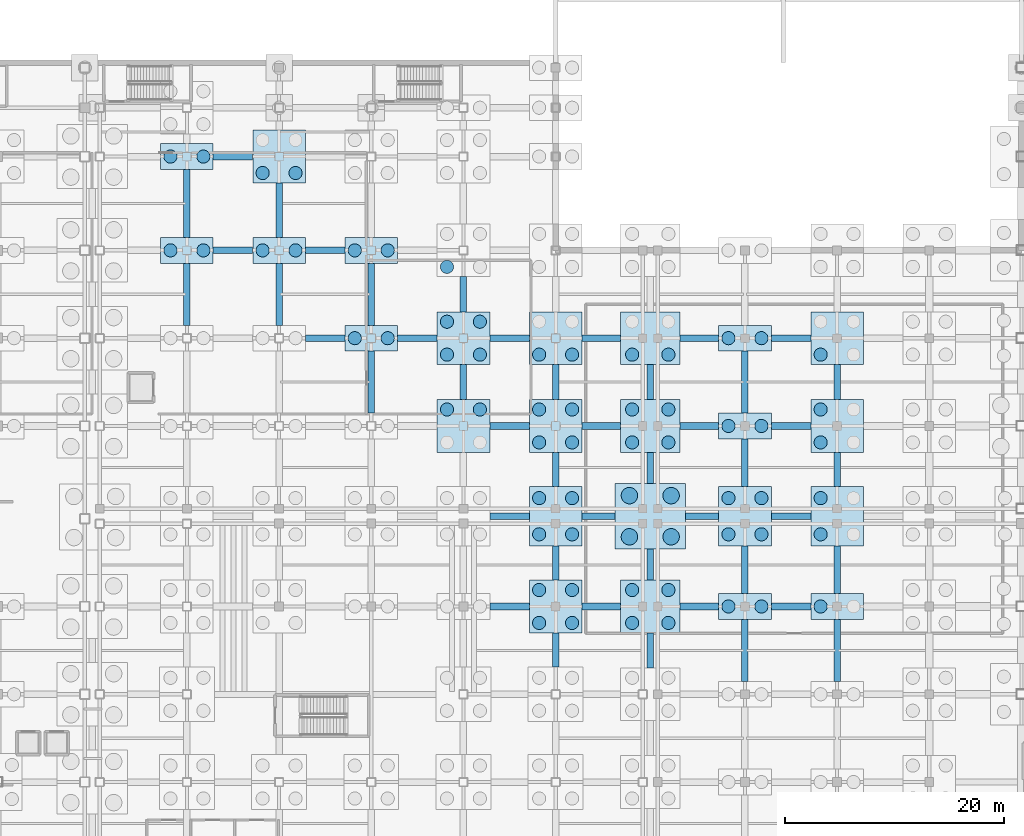
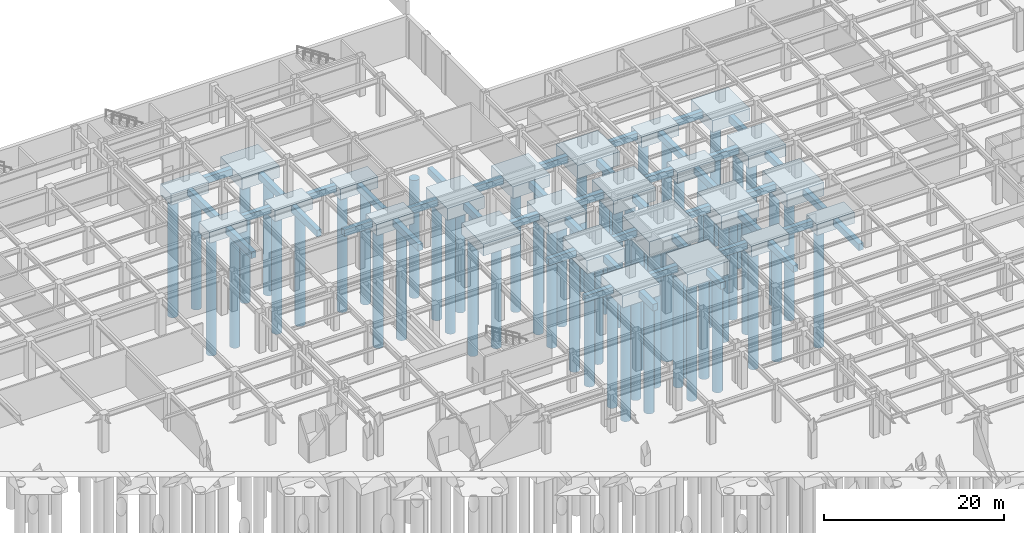
# One storey, part 9 of 55: 69 footings, 63 piles.
"""IFC4 building model written with IfcOpenShell, lengths in metres."""

from ifc_helpers import new_model, si_unit, direction, frame, origin, origin_2d, place, context, subcontext, project, spatial, rectangle, circle, extrude, material, layer, layer_set, material_profile, profile_set, type_object, element, save


model = new_model("IFC4")

# Units and contexts
model_context = context("Model", 3, precision=1e-05, world=origin(), true_north=direction((0.0, 1.0)))
body_context = subcontext(model_context, "Body", "Model", "MODEL_VIEW")
ifc_project = project(units=[si_unit("LENGTHUNIT", "METRE"), si_unit("AREAUNIT", "SQUARE_METRE"), si_unit("VOLUMEUNIT", "CUBIC_METRE"), si_unit("PLANEANGLEUNIT", "RADIAN"), si_unit("MASSUNIT", "GRAM", prefix="KILO")], contexts=[model_context])

# Site, building, storey
site_placement = place(None, origin())
site = spatial("IfcSite", under=ifc_project, at=site_placement, CompositionType="ELEMENT")
building_placement = place(site_placement, origin())
building = spatial("IfcBuilding", under=site, at=building_placement, Name="Kazehara Bluff Congress Hotel", CompositionType="ELEMENT")
storey_placement = place(building_placement, frame((0.0, 0.0, -5.39990234375)))
storey = spatial("IfcBuildingStorey", under=building, at=storey_placement, Name="B1", CompositionType="ELEMENT", Elevation=-5.39990234375)

# Footings
ifc_material_1 = material(Name="Concrete C36/45", Category="concrete")
ifc_material_profile_1 = material_profile(ifc_material_1, rectangle(XDim=0.60009765625, YDim=0.89990234375, at=origin_2d()))
ifc_profile_set_1 = profile_set([ifc_material_profile_1], Name="Concrete C36/45")
footing_type_1 = type_object("IfcFootingType", Name="TP-FB-01", PredefinedType="FOOTING_BEAM", material=ifc_profile_set_1)
footing_1_placement = place(storey_placement, frame((95.25, 64.449951171875, -0.9501953125), z_axis=(1.0, 0.0, 0.0), x_axis=(0.0, 1.0, 0.0)))
element("IfcFooting", 1, at=footing_1_placement, inside=storey, type_object=footing_type_1, Name="Foundation tie beam FB-01 141", PredefinedType="FOOTING_BEAM", context=body_context, shape_type="SweptSolid", body=[
    extrude(rectangle(XDim=0.60009765625, YDim=0.89990234375, at=origin_2d()), origin(), (0.0, 0.0, 1.0), 3.60009765625),
])
for number, where, z_axis, x_axis, name in (
    (2, (103.64990234375, 64.449951171875, -0.9501953125), (1.0, 0.0, 0.0), (0.0, 1.0, 0.0), "Foundation tie beam FB-01 142"),
    (3, (112.574951171875, 64.449951171875, -0.9501953125), (1.0, 0.0, 0.0), (0.0, 1.0, 0.0), "Foundation tie beam FB-01 143"),
):
    element("IfcFooting", number, at=place(storey_placement, frame(where, z_axis=z_axis, x_axis=x_axis)), inside=storey, type_object=footing_type_1, Name=name, PredefinedType="FOOTING_BEAM", context=body_context, shape_type="SweptSolid", body=[
        extrude(rectangle(XDim=0.60009765625, YDim=0.89990234375, at=origin_2d()), origin(), (0.0, 0.0, 1.0), 3.525146484375),
    ])
for number, where, z_axis, x_axis, name in (
    (4, (120.89990234375, 64.449951171875, -0.9501953125), (1.0, 0.0, 0.0), (0.0, 1.0, 0.0), "Foundation tie beam FB-01 144"),
    (5, (95.25, 72.675048828125, -0.9501953125), (1.0, 0.0, 0.0), (0.0, 1.0, 0.0), "Foundation tie beam FB-01 154"),
):
    element("IfcFooting", number, at=place(storey_placement, frame(where, z_axis=z_axis, x_axis=x_axis)), inside=storey, type_object=footing_type_1, Name=name, PredefinedType="FOOTING_BEAM", context=body_context, shape_type="SweptSolid", body=[
        extrude(rectangle(XDim=0.60009765625, YDim=0.89990234375, at=origin_2d()), origin(), (0.0, 0.0, 1.0), 3.60009765625),
    ])
for number, where, z_axis, x_axis, name in (
    (6, (103.64990234375, 72.675048828125, -0.9501953125), (1.0, 0.0, 0.0), (0.0, 1.0, 0.0), "Foundation tie beam FB-01 155"),
    (7, (113.074951171875, 72.675048828125, -0.9501953125), (1.0, 0.0, 0.0), (0.0, 1.0, 0.0), "Foundation tie beam FB-01 156"),
):
    element("IfcFooting", number, at=place(storey_placement, frame(where, z_axis=z_axis, x_axis=x_axis)), inside=storey, type_object=footing_type_1, Name=name, PredefinedType="FOOTING_BEAM", context=body_context, shape_type="SweptSolid", body=[
        extrude(rectangle(XDim=0.60009765625, YDim=0.89990234375, at=origin_2d()), origin(), (0.0, 0.0, 1.0), 3.025146484375),
    ])
for number, where, z_axis, x_axis, name in (
    (8, (120.89990234375, 72.675048828125, -0.9501953125), (1.0, 0.0, 0.0), (0.0, 1.0, 0.0), "Foundation tie beam FB-01 157"),
    (9, (95.25, 80.89990234375, -0.9501953125), (1.0, 0.0, 0.0), (0.0, 1.0, 0.0), "Foundation tie beam FB-01 171"),
):
    element("IfcFooting", number, at=place(storey_placement, frame(where, z_axis=z_axis, x_axis=x_axis)), inside=storey, type_object=footing_type_1, Name=name, PredefinedType="FOOTING_BEAM", context=body_context, shape_type="SweptSolid", body=[
        extrude(rectangle(XDim=0.60009765625, YDim=0.89990234375, at=origin_2d()), origin(), (0.0, 0.0, 1.0), 3.60009765625),
    ])
for number, where, z_axis, x_axis, name in (
    (10, (103.64990234375, 80.89990234375, -0.9501953125), (1.0, 0.0, 0.0), (0.0, 1.0, 0.0), "Foundation tie beam FB-01 172"),
    (11, (112.574951171875, 80.89990234375, -0.9501953125), (1.0, 0.0, 0.0), (0.0, 1.0, 0.0), "Foundation tie beam FB-01 173"),
):
    element("IfcFooting", number, at=place(storey_placement, frame(where, z_axis=z_axis, x_axis=x_axis)), inside=storey, type_object=footing_type_1, Name=name, PredefinedType="FOOTING_BEAM", context=body_context, shape_type="SweptSolid", body=[
        extrude(rectangle(XDim=0.60009765625, YDim=0.89990234375, at=origin_2d()), origin(), (0.0, 0.0, 1.0), 3.525146484375),
    ])
for number, where, z_axis, x_axis, name in (
    (12, (120.89990234375, 80.89990234375, -0.9501953125), (1.0, 0.0, 0.0), (0.0, 1.0, 0.0), "Foundation tie beam FB-01 174"),
    (13, (78.449951171875, 88.89990234375, -0.9501953125), (1.0, 0.0, 0.0), (0.0, 1.0, 0.0), "Foundation tie beam FB-01 188"),
):
    element("IfcFooting", number, at=place(storey_placement, frame(where, z_axis=z_axis, x_axis=x_axis)), inside=storey, type_object=footing_type_1, Name=name, PredefinedType="FOOTING_BEAM", context=body_context, shape_type="SweptSolid", body=[
        extrude(rectangle(XDim=0.60009765625, YDim=0.89990234375, at=origin_2d()), origin(), (0.0, 0.0, 1.0), 3.60009765625),
    ])
footing_2_placement = place(storey_placement, frame((86.85009765625, 88.89990234375, -0.9501953125), z_axis=(1.0, 0.0, 0.0), x_axis=(0.0, 1.0, 0.0)))
element("IfcFooting", 14, at=footing_2_placement, inside=storey, type_object=footing_type_1, Name="Foundation tie beam FB-01 189", PredefinedType="FOOTING_BEAM", context=body_context, shape_type="SweptSolid", body=[
    extrude(rectangle(XDim=0.60009765625, YDim=0.89990234375, at=origin_2d()), origin(), (0.0, 0.0, 1.0), 3.599853515625),
])
footing_3_placement = place(storey_placement, frame((95.25, 88.89990234375, -0.9501953125), z_axis=(1.0, 0.0, 0.0), x_axis=(0.0, 1.0, 0.0)))
element("IfcFooting", 15, at=footing_3_placement, inside=storey, type_object=footing_type_1, Name="Foundation tie beam FB-01 190", PredefinedType="FOOTING_BEAM", context=body_context, shape_type="SweptSolid", body=[
    extrude(rectangle(XDim=0.60009765625, YDim=0.89990234375, at=origin_2d()), origin(), (0.0, 0.0, 1.0), 3.60009765625),
])
for number, where, z_axis, x_axis, name in (
    (16, (103.64990234375, 88.89990234375, -0.9501953125), (1.0, 0.0, 0.0), (0.0, 1.0, 0.0), "Foundation tie beam FB-01 191"),
    (17, (112.574951171875, 88.89990234375, -0.9501953125), (1.0, 0.0, 0.0), (0.0, 1.0, 0.0), "Foundation tie beam FB-01 192"),
):
    element("IfcFooting", number, at=place(storey_placement, frame(where, z_axis=z_axis, x_axis=x_axis)), inside=storey, type_object=footing_type_1, Name=name, PredefinedType="FOOTING_BEAM", context=body_context, shape_type="SweptSolid", body=[
        extrude(rectangle(XDim=0.60009765625, YDim=0.89990234375, at=origin_2d()), origin(), (0.0, 0.0, 1.0), 3.525146484375),
    ])
footing_4_placement = place(storey_placement, frame((120.89990234375, 88.89990234375, -0.9501953125), z_axis=(1.0, 0.0, 0.0), x_axis=(0.0, 1.0, 0.0)))
element("IfcFooting", 18, at=footing_4_placement, inside=storey, type_object=footing_type_1, Name="Foundation tie beam FB-01 193", PredefinedType="FOOTING_BEAM", context=body_context, shape_type="SweptSolid", body=[
    extrude(rectangle(XDim=0.60009765625, YDim=0.89990234375, at=origin_2d()), origin(), (0.0, 0.0, 1.0), 3.60009765625),
])
footing_5_placement = place(storey_placement, frame((70.050048828125, 96.89990234375, -0.9501953125), z_axis=(1.0, 0.0, 0.0), x_axis=(0.0, 1.0, 0.0)))
element("IfcFooting", 19, at=footing_5_placement, inside=storey, type_object=footing_type_1, Name="Foundation tie beam FB-01 206", PredefinedType="FOOTING_BEAM", context=body_context, shape_type="SweptSolid", body=[
    extrude(rectangle(XDim=0.60009765625, YDim=0.89990234375, at=origin_2d()), origin(), (0.0, 0.0, 1.0), 3.599853515625),
])
footing_6_placement = place(storey_placement, frame((78.449951171875, 96.89990234375, -0.9501953125), z_axis=(1.0, 0.0, 0.0), x_axis=(0.0, 1.0, 0.0)))
element("IfcFooting", 20, at=footing_6_placement, inside=storey, type_object=footing_type_1, Name="Foundation tie beam FB-01 207", PredefinedType="FOOTING_BEAM", context=body_context, shape_type="SweptSolid", body=[
    extrude(rectangle(XDim=0.60009765625, YDim=0.89990234375, at=origin_2d()), origin(), (0.0, 0.0, 1.0), 3.60009765625),
])
footing_7_placement = place(storey_placement, frame((70.050048828125, 105.449951171875, -0.9501953125), z_axis=(1.0, 0.0, 0.0), x_axis=(0.0, 1.0, 0.0)))
element("IfcFooting", 21, at=footing_7_placement, inside=storey, type_object=footing_type_1, Name="Foundation tie beam FB-01 225", PredefinedType="FOOTING_BEAM", context=body_context, shape_type="SweptSolid", body=[
    extrude(rectangle(XDim=0.60009765625, YDim=0.89990234375, at=origin_2d()), origin(), (0.0, 0.0, 1.0), 3.599853515625),
])
footing_8_placement = place(storey_placement, frame((67.64990234375, 90.074951171875, -0.9501953125), z_axis=(0.0, 1.0, 0.0), x_axis=(-1.0, 0.0, 0.0)))
element("IfcFooting", 22, at=footing_8_placement, inside=storey, type_object=footing_type_1, Name="Foundation tie beam FB-01 348", PredefinedType="FOOTING_BEAM", context=body_context, shape_type="SweptSolid", body=[
    extrude(rectangle(XDim=0.60009765625, YDim=0.89990234375, at=origin_2d()), origin(), (0.0, 0.0, 1.0), 5.650146484375),
])
footing_9_placement = place(storey_placement, frame((67.64990234375, 98.074951171875, -0.9501953125), z_axis=(0.0, 1.0, 0.0), x_axis=(-1.0, 0.0, 0.0)))
element("IfcFooting", 23, at=footing_9_placement, inside=storey, type_object=footing_type_1, Name="Foundation tie beam FB-01 349", PredefinedType="FOOTING_BEAM", context=body_context, shape_type="SweptSolid", body=[
    extrude(rectangle(XDim=0.60009765625, YDim=0.89990234375, at=origin_2d()), origin(), (0.0, 0.0, 1.0), 6.199951171875),
])
footing_10_placement = place(storey_placement, frame((76.050048828125, 90.074951171875, -0.9501953125), z_axis=(0.0, 1.0, 0.0), x_axis=(-1.0, 0.0, 0.0)))
element("IfcFooting", 24, at=footing_10_placement, inside=storey, type_object=footing_type_1, Name="Foundation tie beam FB-01 361", PredefinedType="FOOTING_BEAM", context=body_context, shape_type="SweptSolid", body=[
    extrude(rectangle(XDim=0.60009765625, YDim=0.89990234375, at=origin_2d()), origin(), (0.0, 0.0, 1.0), 5.650146484375),
])
footing_11_placement = place(storey_placement, frame((76.050048828125, 98.074951171875, -0.9501953125), z_axis=(0.0, 1.0, 0.0), x_axis=(-1.0, 0.0, 0.0)))
element("IfcFooting", 25, at=footing_11_placement, inside=storey, type_object=footing_type_1, Name="Foundation tie beam FB-01 362", PredefinedType="FOOTING_BEAM", context=body_context, shape_type="SweptSolid", body=[
    extrude(rectangle(XDim=0.60009765625, YDim=0.89990234375, at=origin_2d()), origin(), (0.0, 0.0, 1.0), 4.97509765625),
])
for number, where, z_axis, x_axis, name in (
    (26, (84.449951171875, 82.074951171875, -0.9501953125), (0.0, 1.0, 0.0), (-1.0, 0.0, 0.0), "Foundation tie beam FB-01 372"),
    (27, (84.449951171875, 90.074951171875, -0.9501953125), (0.0, 1.0, 0.0), (-1.0, 0.0, 0.0), "Foundation tie beam FB-01 373"),
):
    element("IfcFooting", number, at=place(storey_placement, frame(where, z_axis=z_axis, x_axis=x_axis)), inside=storey, type_object=footing_type_1, Name=name, PredefinedType="FOOTING_BEAM", context=body_context, shape_type="SweptSolid", body=[
        extrude(rectangle(XDim=0.60009765625, YDim=0.89990234375, at=origin_2d()), origin(), (0.0, 0.0, 1.0), 5.650146484375),
    ])
for number, where, z_axis, x_axis, name in (
    (28, (92.85009765625, 83.300048828125, -0.9501953125), (0.0, 1.0, 0.0), (-1.0, 0.0, 0.0), "Foundation tie beam FB-01 385"),
    (29, (92.85009765625, 91.300048828125, -0.9501953125), (0.0, 1.0, 0.0), (-1.0, 0.0, 0.0), "Foundation tie beam FB-01 386"),
):
    element("IfcFooting", number, at=place(storey_placement, frame(where, z_axis=z_axis, x_axis=x_axis)), inside=storey, type_object=footing_type_1, Name=name, PredefinedType="FOOTING_BEAM", context=body_context, shape_type="SweptSolid", body=[
        extrude(rectangle(XDim=0.60009765625, YDim=0.89990234375, at=origin_2d()), origin(), (0.0, 0.0, 1.0), 3.199951171875),
    ])
footing_12_placement = place(storey_placement, frame((101.25, 58.949951171875, -0.9501953125), z_axis=(0.0, 1.0, 0.0), x_axis=(-1.0, 0.0, 0.0)))
element("IfcFooting", 30, at=footing_12_placement, inside=storey, type_object=footing_type_1, Name="Foundation tie beam FB-01 395", PredefinedType="FOOTING_BEAM", context=body_context, shape_type="SweptSolid", body=[
    extrude(rectangle(XDim=0.60009765625, YDim=0.89990234375, at=origin_2d()), origin(), (0.0, 0.0, 1.0), 3.10009765625),
])
for number, where, z_axis, x_axis, name in (
    (31, (101.25, 66.85009765625, -0.9501953125), (0.0, 1.0, 0.0), (-1.0, 0.0, 0.0), "Foundation tie beam FB-01 396"),
    (32, (101.25, 75.375, -0.9501953125), (0.0, 1.0, 0.0), (-1.0, 0.0, 0.0), "Foundation tie beam FB-01 397"),
):
    element("IfcFooting", number, at=place(storey_placement, frame(where, z_axis=z_axis, x_axis=x_axis)), inside=storey, type_object=footing_type_1, Name=name, PredefinedType="FOOTING_BEAM", context=body_context, shape_type="SweptSolid", body=[
        extrude(rectangle(XDim=0.60009765625, YDim=0.89990234375, at=origin_2d()), origin(), (0.0, 0.0, 1.0), 3.125),
    ])
for number, where, z_axis, x_axis, name in (
    (33, (101.25, 83.300048828125, -0.9501953125), (0.0, 1.0, 0.0), (-1.0, 0.0, 0.0), "Foundation tie beam FB-01 398"),
    (34, (109.875, 58.85009765625, -0.9501953125), (0.0, 1.0, 0.0), (-1.0, 0.0, 0.0), "Foundation tie beam FB-01 409"),
):
    element("IfcFooting", number, at=place(storey_placement, frame(where, z_axis=z_axis, x_axis=x_axis)), inside=storey, type_object=footing_type_1, Name=name, PredefinedType="FOOTING_BEAM", context=body_context, shape_type="SweptSolid", body=[
        extrude(rectangle(XDim=0.60009765625, YDim=0.89990234375, at=origin_2d()), origin(), (0.0, 0.0, 1.0), 3.199951171875),
    ])
for number, where, z_axis, x_axis, name in (
    (35, (109.875, 66.85009765625, -0.9501953125), (0.0, 1.0, 0.0), (-1.0, 0.0, 0.0), "Foundation tie beam FB-01 410"),
    (36, (109.875, 75.675048828125, -0.9501953125), (0.0, 1.0, 0.0), (-1.0, 0.0, 0.0), "Foundation tie beam FB-01 411"),
):
    element("IfcFooting", number, at=place(storey_placement, frame(where, z_axis=z_axis, x_axis=x_axis)), inside=storey, type_object=footing_type_1, Name=name, PredefinedType="FOOTING_BEAM", context=body_context, shape_type="SweptSolid", body=[
        extrude(rectangle(XDim=0.60009765625, YDim=0.89990234375, at=origin_2d()), origin(), (0.0, 0.0, 1.0), 2.824951171875),
    ])
footing_13_placement = place(storey_placement, frame((109.875, 83.300048828125, -0.9501953125), z_axis=(0.0, 1.0, 0.0), x_axis=(-1.0, 0.0, 0.0)))
element("IfcFooting", 37, at=footing_13_placement, inside=storey, type_object=footing_type_1, Name="Foundation tie beam FB-01 412", PredefinedType="FOOTING_BEAM", context=body_context, shape_type="SweptSolid", body=[
    extrude(rectangle(XDim=0.60009765625, YDim=0.89990234375, at=origin_2d()), origin(), (0.0, 0.0, 1.0), 3.199951171875),
])
footing_14_placement = place(storey_placement, frame((118.5, 57.625, -0.9501953125), z_axis=(0.0, 1.0, 0.0), x_axis=(-1.0, 0.0, 0.0)))
element("IfcFooting", 38, at=footing_14_placement, inside=storey, type_object=footing_type_1, Name="Foundation tie beam FB-01 420", PredefinedType="FOOTING_BEAM", context=body_context, shape_type="SweptSolid", body=[
    extrude(rectangle(XDim=0.60009765625, YDim=0.89990234375, at=origin_2d()), origin(), (0.0, 0.0, 1.0), 5.64990234375),
])
for number, where, z_axis, x_axis, name in (
    (39, (118.5, 65.625, -0.9501953125), (0.0, 1.0, 0.0), (-1.0, 0.0, 0.0), "Foundation tie beam FB-01 421"),
    (40, (118.5, 75.375, -0.9501953125), (0.0, 1.0, 0.0), (-1.0, 0.0, 0.0), "Foundation tie beam FB-01 422"),
):
    element("IfcFooting", number, at=place(storey_placement, frame(where, z_axis=z_axis, x_axis=x_axis)), inside=storey, type_object=footing_type_1, Name=name, PredefinedType="FOOTING_BEAM", context=body_context, shape_type="SweptSolid", body=[
        extrude(rectangle(XDim=0.60009765625, YDim=0.89990234375, at=origin_2d()), origin(), (0.0, 0.0, 1.0), 4.35009765625),
    ])
footing_15_placement = place(storey_placement, frame((118.5, 82.074951171875, -0.9501953125), z_axis=(0.0, 1.0, 0.0), x_axis=(-1.0, 0.0, 0.0)))
element("IfcFooting", 41, at=footing_15_placement, inside=storey, type_object=footing_type_1, Name="Foundation tie beam FB-01 423", PredefinedType="FOOTING_BEAM", context=body_context, shape_type="SweptSolid", body=[
    extrude(rectangle(XDim=0.60009765625, YDim=0.89990234375, at=origin_2d()), origin(), (0.0, 0.0, 1.0), 5.650146484375),
])
footing_16_placement = place(storey_placement, frame((126.89990234375, 57.625, -0.9501953125), z_axis=(0.0, 1.0, 0.0), x_axis=(-1.0, 0.0, 0.0)))
element("IfcFooting", 42, at=footing_16_placement, inside=storey, type_object=footing_type_1, Name="Foundation tie beam FB-01 431", PredefinedType="FOOTING_BEAM", context=body_context, shape_type="SweptSolid", body=[
    extrude(rectangle(XDim=0.60009765625, YDim=0.89990234375, at=origin_2d()), origin(), (0.0, 0.0, 1.0), 5.64990234375),
])
footing_17_placement = place(storey_placement, frame((126.89990234375, 65.625, -0.9501953125), z_axis=(0.0, 1.0, 0.0), x_axis=(-1.0, 0.0, 0.0)))
element("IfcFooting", 43, at=footing_17_placement, inside=storey, type_object=footing_type_1, Name="Foundation tie beam FB-01 432", PredefinedType="FOOTING_BEAM", context=body_context, shape_type="SweptSolid", body=[
    extrude(rectangle(XDim=0.60009765625, YDim=0.89990234375, at=origin_2d()), origin(), (0.0, 0.0, 1.0), 4.35009765625),
])
footing_18_placement = place(storey_placement, frame((126.89990234375, 75.375, -0.9501953125), z_axis=(0.0, 1.0, 0.0), x_axis=(-1.0, 0.0, 0.0)))
element("IfcFooting", 44, at=footing_18_placement, inside=storey, type_object=footing_type_1, Name="Foundation tie beam FB-01 433", PredefinedType="FOOTING_BEAM", context=body_context, shape_type="SweptSolid", body=[
    extrude(rectangle(XDim=0.60009765625, YDim=0.89990234375, at=origin_2d()), origin(), (0.0, 0.0, 1.0), 3.125),
])
footing_19_placement = place(storey_placement, frame((126.89990234375, 83.300048828125, -0.9501953125), z_axis=(0.0, 1.0, 0.0), x_axis=(-1.0, 0.0, 0.0)))
element("IfcFooting", 45, at=footing_19_placement, inside=storey, type_object=footing_type_1, Name="Foundation tie beam FB-01 434", PredefinedType="FOOTING_BEAM", context=body_context, shape_type="SweptSolid", body=[
    extrude(rectangle(XDim=0.60009765625, YDim=0.89990234375, at=origin_2d()), origin(), (0.0, 0.0, 1.0), 3.199951171875),
])
ifc_material_2 = material(Name="Concrete C36/45", Category="concrete")
ifc_layer_1 = layer(ifc_material_2, 1.5)
ifc_layer_set_1 = layer_set([ifc_layer_1], Name="Concrete C36/45")
footing_type_2 = type_object("IfcFootingType", Name="TP-PC-02", PredefinedType="PILE_CAP", material=ifc_layer_set_1)
for number, where, z_axis, x_axis, name in (
    (46, (67.64990234375, 96.89990234375, -2.0), (0.0, 0.0, 1.0), (1.0, 0.0, 0.0), "Pile cap PC-02 126"),
    (47, (67.64990234375, 105.449951171875, -2.0), (0.0, 0.0, 1.0), (1.0, 0.0, 0.0), "Pile cap PC-02 127"),
    (48, (76.050048828125, 96.89990234375, -2.0), (0.0, 0.0, 1.0), (1.0, 0.0, 0.0), "Pile cap PC-02 140"),
    (49, (84.449951171875, 88.89990234375, -2.0), (0.0, 0.0, 1.0), (1.0, 0.0, 0.0), "Pile cap PC-02 153"),
    (50, (84.449951171875, 96.89990234375, -2.0), (0.0, 0.0, 1.0), (1.0, 0.0, 0.0), "Pile cap PC-02 154"),
    (51, (118.5, 64.449951171875, -2.0), (0.0, 0.0, 1.0), (1.0, 0.0, 0.0), "Pile cap PC-02 205"),
    (52, (118.5, 80.89990234375, -2.0), (0.0, 0.0, 1.0), (1.0, 0.0, 0.0), "Pile cap PC-02 207"),
    (53, (118.5, 88.89990234375, -2.0), (0.0, 0.0, 1.0), (1.0, 0.0, 0.0), "Pile cap PC-02 208"),
    (54, (126.89990234375, 64.449951171875, -2.0), (0.0, 0.0, 1.0), (1.0, 0.0, 0.0), "Pile cap PC-02 217"),
):
    element("IfcFooting", number, at=place(storey_placement, frame(where, z_axis=z_axis, x_axis=x_axis)), inside=storey, type_object=footing_type_2, Name=name, PredefinedType="PILE_CAP", context=body_context, shape_type="SweptSolid", body=[
        extrude(rectangle(XDim=4.800048828125, YDim=2.35009765625, at=origin_2d()), origin(), (0.0, 0.0, 1.0), 1.5),
    ])
ifc_material_3 = material(Name="Concrete C36/45", Category="concrete")
ifc_layer_2 = layer(ifc_material_3, 1.60009765625)
ifc_layer_set_2 = layer_set([ifc_layer_2], Name="Concrete C36/45")
footing_type_3 = type_object("IfcFootingType", Name="TP-PC-04", PredefinedType="PILE_CAP", material=ifc_layer_set_2)
for number, where, z_axis, x_axis, name in (
    (55, (76.050048828125, 105.449951171875, -2.10009765625), (0.0, 0.0, 1.0), (1.0, 0.0, 0.0), "Pile cap PC-04 141"),
    (56, (92.85009765625, 80.89990234375, -2.10009765625), (0.0, 0.0, 1.0), (1.0, 0.0, 0.0), "Pile cap PC-04 166"),
    (57, (92.85009765625, 88.89990234375, -2.10009765625), (0.0, 0.0, 1.0), (1.0, 0.0, 0.0), "Pile cap PC-04 167"),
    (58, (101.25, 64.449951171875, -2.10009765625), (0.0, 0.0, 1.0), (1.0, 0.0, 0.0), "Pile cap PC-04 178"),
    (59, (101.25, 80.89990234375, -2.10009765625), (0.0, 0.0, 1.0), (1.0, 0.0, 0.0), "Pile cap PC-04 180"),
    (60, (101.25, 88.89990234375, -2.10009765625), (0.0, 0.0, 1.0), (1.0, 0.0, 0.0), "Pile cap PC-04 181"),
    (61, (126.89990234375, 80.89990234375, -2.10009765625), (0.0, 0.0, 1.0), (1.0, 0.0, 0.0), "Pile cap PC-04 219"),
    (62, (126.89990234375, 88.89990234375, -2.10009765625), (0.0, 0.0, 1.0), (1.0, 0.0, 0.0), "Pile cap PC-04 220"),
):
    element("IfcFooting", number, at=place(storey_placement, frame(where, z_axis=z_axis, x_axis=x_axis)), inside=storey, type_object=footing_type_3, Name=name, PredefinedType="PILE_CAP", context=body_context, shape_type="SweptSolid", body=[
        extrude(rectangle(XDim=4.800048828125, YDim=4.800048828125, at=origin_2d()), origin(), (0.0, 0.0, 1.0), 1.60009765625),
    ])
ifc_material_4 = material(Name="Concrete C36/45", Category="concrete")
ifc_layer_3 = layer(ifc_material_4, 1.800048828125)
ifc_layer_set_3 = layer_set([ifc_layer_3], Name="Concrete C36/45")
footing_type_4 = type_object("IfcFootingType", Name="TP-PC-07", PredefinedType="PILE_CAP", material=ifc_layer_set_3)
for number, where, z_axis, x_axis, name in (
    (63, (109.875, 64.449951171875, -2.30029296875), (0.0, 0.0, 1.0), (1.0, 0.0, 0.0), "Pile cap PC-07 193"),
    (64, (109.875, 80.89990234375, -2.30029296875), (0.0, 0.0, 1.0), (1.0, 0.0, 0.0), "Pile cap PC-07 195"),
    (65, (109.875, 88.89990234375, -2.30029296875), (0.0, 0.0, 1.0), (1.0, 0.0, 0.0), "Pile cap PC-07 196"),
):
    element("IfcFooting", number, at=place(storey_placement, frame(where, z_axis=z_axis, x_axis=x_axis)), inside=storey, type_object=footing_type_4, Name=name, PredefinedType="PILE_CAP", context=body_context, shape_type="SweptSolid", body=[
        extrude(rectangle(XDim=5.39990234375, YDim=4.800048828125, at=origin_2d()), origin(), (0.0, 0.0, 1.0), 1.800048828125),
    ])
ifc_material_5 = material(Name="Concrete C36/45", Category="concrete")
ifc_layer_4 = layer(ifc_material_5, 1.800048828125)
ifc_layer_set_4 = layer_set([ifc_layer_4], Name="Concrete C36/45")
footing_type_5 = type_object("IfcFootingType", Name="TP-PC-08", PredefinedType="PILE_CAP", material=ifc_layer_set_4)
for number, where, z_axis, x_axis, name in (
    (66, (101.25, 72.675048828125, -2.30029296875), (0.0, 0.0, 1.0), (1.0, 0.0, 0.0), "Pile cap PC-08 179"),
    (67, (118.5, 72.675048828125, -2.30029296875), (0.0, 0.0, 1.0), (1.0, 0.0, 0.0), "Pile cap PC-08 206"),
    (68, (126.89990234375, 72.675048828125, -2.30029296875), (0.0, 0.0, 1.0), (1.0, 0.0, 0.0), "Pile cap PC-08 218"),
):
    element("IfcFooting", number, at=place(storey_placement, frame(where, z_axis=z_axis, x_axis=x_axis)), inside=storey, type_object=footing_type_5, Name=name, PredefinedType="PILE_CAP", context=body_context, shape_type="SweptSolid", body=[
        extrude(rectangle(XDim=4.800048828125, YDim=5.39990234375, at=origin_2d()), origin(), (0.0, 0.0, 1.0), 1.800048828125),
    ])
ifc_material_6 = material(Name="Concrete C36/45", Category="concrete")
ifc_layer_5 = layer(ifc_material_6, 2.10009765625)
ifc_layer_set_5 = layer_set([ifc_layer_5], Name="Concrete C36/45")
footing_type_6 = type_object("IfcFootingType", Name="TP-PC-13", PredefinedType="PILE_CAP", material=ifc_layer_set_5)
footing_20_placement = place(storey_placement, frame((109.875, 72.675048828125, -2.60009765625), z_axis=(0.0, 0.0, 1.0), x_axis=(1.0, 0.0, 0.0)))
element("IfcFooting", 69, at=footing_20_placement, inside=storey, type_object=footing_type_6, Name="Pile cap PC-13 194", PredefinedType="PILE_CAP", context=body_context, shape_type="SweptSolid", body=[
    extrude(rectangle(XDim=6.39990234375, YDim=6.0, at=origin_2d()), origin(), (0.0, 0.0, 1.0), 2.10009765625),
])

# Piles
ifc_material_7 = material(Name="Concrete C36/45", Category="concrete")
ifc_material_profile_2 = material_profile(ifc_material_7, circle(Radius=0.60009765625, at=origin_2d()))
ifc_profile_set_2 = profile_set([ifc_material_profile_2], Name="Concrete C36/45")
pile_type_1 = type_object("IfcPileType", Name="TP-PILE-1200", PredefinedType="BORED", material=ifc_profile_set_2)
for number, where, z_axis, x_axis, name in (
    (70, (66.14990234375, 96.89990234375, -1.900146484375), (0.0, 0.0, -1.0), (1.0, 0.0, 0.0), "Bored pile FND-PC-126-P1"),
    (71, (69.14990234375, 96.89990234375, -1.900146484375), (0.0, 0.0, -1.0), (1.0, 0.0, 0.0), "Bored pile FND-PC-126-P2"),
    (72, (66.14990234375, 105.449951171875, -1.900146484375), (0.0, 0.0, -1.0), (1.0, 0.0, 0.0), "Bored pile FND-PC-127-P1"),
    (73, (69.14990234375, 105.449951171875, -1.900146484375), (0.0, 0.0, -1.0), (1.0, 0.0, 0.0), "Bored pile FND-PC-127-P2"),
    (74, (74.550048828125, 96.89990234375, -1.900146484375), (0.0, 0.0, -1.0), (1.0, 0.0, 0.0), "Bored pile FND-PC-140-P1"),
    (75, (77.550048828125, 96.89990234375, -1.900146484375), (0.0, 0.0, -1.0), (1.0, 0.0, 0.0), "Bored pile FND-PC-140-P2"),
    (76, (74.550048828125, 103.949951171875, -2.0), (0.0, 0.0, -1.0), (1.0, 0.0, 0.0), "Bored pile FND-PC-141-P1"),
    (77, (77.550048828125, 103.949951171875, -2.0), (0.0, 0.0, -1.0), (1.0, 0.0, 0.0), "Bored pile FND-PC-141-P2"),
    (78, (82.949951171875, 88.89990234375, -1.900146484375), (0.0, 0.0, -1.0), (1.0, 0.0, 0.0), "Bored pile FND-PC-153-P1"),
    (79, (85.949951171875, 88.89990234375, -1.900146484375), (0.0, 0.0, -1.0), (1.0, 0.0, 0.0), "Bored pile FND-PC-153-P2"),
    (80, (82.949951171875, 96.89990234375, -1.900146484375), (0.0, 0.0, -1.0), (1.0, 0.0, 0.0), "Bored pile FND-PC-154-P1"),
    (81, (85.949951171875, 96.89990234375, -1.900146484375), (0.0, 0.0, -1.0), (1.0, 0.0, 0.0), "Bored pile FND-PC-154-P2"),
    (82, (91.35009765625, 82.39990234375, -2.0), (0.0, 0.0, -1.0), (1.0, 0.0, 0.0), "Bored pile FND-PC-166-P3"),
    (83, (94.35009765625, 82.39990234375, -2.0), (0.0, 0.0, -1.0), (1.0, 0.0, 0.0), "Bored pile FND-PC-166-P4"),
    (84, (91.35009765625, 87.39990234375, -2.0), (0.0, 0.0, -1.0), (1.0, 0.0, 0.0), "Bored pile FND-PC-167-P1"),
    (85, (94.35009765625, 87.39990234375, -2.0), (0.0, 0.0, -1.0), (1.0, 0.0, 0.0), "Bored pile FND-PC-167-P2"),
    (86, (91.35009765625, 90.39990234375, -2.0), (0.0, 0.0, -1.0), (1.0, 0.0, 0.0), "Bored pile FND-PC-167-P3"),
    (87, (94.35009765625, 90.39990234375, -2.0), (0.0, 0.0, -1.0), (1.0, 0.0, 0.0), "Bored pile FND-PC-167-P4"),
    (88, (91.35009765625, 95.39990234375, -2.0), (0.0, 0.0, -1.0), (1.0, 0.0, 0.0), "Bored pile FND-PC-168-P1"),
    (89, (99.75, 62.949951171875, -2.0), (0.0, 0.0, -1.0), (1.0, 0.0, 0.0), "Bored pile FND-PC-178-P1"),
    (90, (102.75, 62.949951171875, -2.0), (0.0, 0.0, -1.0), (1.0, 0.0, 0.0), "Bored pile FND-PC-178-P2"),
    (91, (99.75, 65.949951171875, -2.0), (0.0, 0.0, -1.0), (1.0, 0.0, 0.0), "Bored pile FND-PC-178-P3"),
    (92, (102.75, 65.949951171875, -2.0), (0.0, 0.0, -1.0), (1.0, 0.0, 0.0), "Bored pile FND-PC-178-P4"),
    (93, (99.75, 71.02490234375, -2.2001953125), (0.0, 0.0, -1.0), (1.0, 0.0, 0.0), "Bored pile FND-PC-179-P1"),
    (94, (102.75, 71.02490234375, -2.2001953125), (0.0, 0.0, -1.0), (1.0, 0.0, 0.0), "Bored pile FND-PC-179-P2"),
    (95, (99.75, 74.324951171875, -2.2001953125), (0.0, 0.0, -1.0), (1.0, 0.0, 0.0), "Bored pile FND-PC-179-P3"),
    (96, (102.75, 74.324951171875, -2.2001953125), (0.0, 0.0, -1.0), (1.0, 0.0, 0.0), "Bored pile FND-PC-179-P4"),
    (97, (99.75, 79.39990234375, -2.0), (0.0, 0.0, -1.0), (1.0, 0.0, 0.0), "Bored pile FND-PC-180-P1"),
    (98, (102.75, 79.39990234375, -2.0), (0.0, 0.0, -1.0), (1.0, 0.0, 0.0), "Bored pile FND-PC-180-P2"),
    (99, (99.75, 82.39990234375, -2.0), (0.0, 0.0, -1.0), (1.0, 0.0, 0.0), "Bored pile FND-PC-180-P3"),
    (100, (102.75, 82.39990234375, -2.0), (0.0, 0.0, -1.0), (1.0, 0.0, 0.0), "Bored pile FND-PC-180-P4"),
    (101, (99.75, 87.39990234375, -2.0), (0.0, 0.0, -1.0), (1.0, 0.0, 0.0), "Bored pile FND-PC-181-P1"),
    (102, (102.75, 87.39990234375, -2.0), (0.0, 0.0, -1.0), (1.0, 0.0, 0.0), "Bored pile FND-PC-181-P2"),
    (103, (108.22509765625, 62.949951171875, -2.2001953125), (0.0, 0.0, -1.0), (1.0, 0.0, 0.0), "Bored pile FND-PC-193-P1"),
    (104, (111.52490234375, 62.949951171875, -2.2001953125), (0.0, 0.0, -1.0), (1.0, 0.0, 0.0), "Bored pile FND-PC-193-P2"),
    (105, (108.22509765625, 65.949951171875, -2.2001953125), (0.0, 0.0, -1.0), (1.0, 0.0, 0.0), "Bored pile FND-PC-193-P3"),
    (106, (111.52490234375, 65.949951171875, -2.2001953125), (0.0, 0.0, -1.0), (1.0, 0.0, 0.0), "Bored pile FND-PC-193-P4"),
    (107, (108.22509765625, 79.39990234375, -2.2001953125), (0.0, 0.0, -1.0), (1.0, 0.0, 0.0), "Bored pile FND-PC-195-P1"),
    (108, (111.52490234375, 79.39990234375, -2.2001953125), (0.0, 0.0, -1.0), (1.0, 0.0, 0.0), "Bored pile FND-PC-195-P2"),
    (109, (108.22509765625, 82.39990234375, -2.2001953125), (0.0, 0.0, -1.0), (1.0, 0.0, 0.0), "Bored pile FND-PC-195-P3"),
    (110, (111.52490234375, 82.39990234375, -2.2001953125), (0.0, 0.0, -1.0), (1.0, 0.0, 0.0), "Bored pile FND-PC-195-P4"),
    (111, (108.22509765625, 87.39990234375, -2.2001953125), (0.0, 0.0, -1.0), (1.0, 0.0, 0.0), "Bored pile FND-PC-196-P1"),
    (112, (111.52490234375, 87.39990234375, -2.2001953125), (0.0, 0.0, -1.0), (1.0, 0.0, 0.0), "Bored pile FND-PC-196-P2"),
    (113, (117.0, 64.449951171875, -1.900146484375), (0.0, 0.0, -1.0), (1.0, 0.0, 0.0), "Bored pile FND-PC-205-P1"),
    (114, (120.0, 64.449951171875, -1.900146484375), (0.0, 0.0, -1.0), (1.0, 0.0, 0.0), "Bored pile FND-PC-205-P2"),
    (115, (117.0, 71.02490234375, -2.2001953125), (0.0, 0.0, -1.0), (1.0, 0.0, 0.0), "Bored pile FND-PC-206-P1"),
    (116, (120.0, 71.02490234375, -2.2001953125), (0.0, 0.0, -1.0), (1.0, 0.0, 0.0), "Bored pile FND-PC-206-P2"),
    (117, (117.0, 74.324951171875, -2.2001953125), (0.0, 0.0, -1.0), (1.0, 0.0, 0.0), "Bored pile FND-PC-206-P3"),
    (118, (120.0, 74.324951171875, -2.2001953125), (0.0, 0.0, -1.0), (1.0, 0.0, 0.0), "Bored pile FND-PC-206-P4"),
    (119, (117.0, 80.89990234375, -1.900146484375), (0.0, 0.0, -1.0), (1.0, 0.0, 0.0), "Bored pile FND-PC-207-P1"),
    (120, (120.0, 80.89990234375, -1.900146484375), (0.0, 0.0, -1.0), (1.0, 0.0, 0.0), "Bored pile FND-PC-207-P2"),
    (121, (117.0, 88.89990234375, -1.900146484375), (0.0, 0.0, -1.0), (1.0, 0.0, 0.0), "Bored pile FND-PC-208-P1"),
    (122, (120.0, 88.89990234375, -1.900146484375), (0.0, 0.0, -1.0), (1.0, 0.0, 0.0), "Bored pile FND-PC-208-P2"),
    (123, (125.39990234375, 64.449951171875, -1.900146484375), (0.0, 0.0, -1.0), (1.0, 0.0, 0.0), "Bored pile FND-PC-217-P1"),
    (124, (125.39990234375, 71.02490234375, -2.2001953125), (0.0, 0.0, -1.0), (1.0, 0.0, 0.0), "Bored pile FND-PC-218-P1"),
    (125, (125.39990234375, 74.324951171875, -2.2001953125), (0.0, 0.0, -1.0), (1.0, 0.0, 0.0), "Bored pile FND-PC-218-P3"),
    (126, (125.39990234375, 79.39990234375, -2.0), (0.0, 0.0, -1.0), (1.0, 0.0, 0.0), "Bored pile FND-PC-219-P1"),
    (127, (125.39990234375, 82.39990234375, -2.0), (0.0, 0.0, -1.0), (1.0, 0.0, 0.0), "Bored pile FND-PC-219-P3"),
    (128, (125.39990234375, 87.39990234375, -2.0), (0.0, 0.0, -1.0), (1.0, 0.0, 0.0), "Bored pile FND-PC-220-P1"),
):
    element("IfcPile", number, at=place(storey_placement, frame(where, z_axis=z_axis, x_axis=x_axis)), inside=storey, type_object=pile_type_1, Name=name, PredefinedType="BORED", context=body_context, shape_type="SweptSolid", body=[
        extrude(circle(Radius=0.60009765625, at=origin_2d()), origin(), (0.0, 0.0, 1.0), 16.0),
    ])
ifc_material_8 = material(Name="Concrete C36/45", Category="concrete")
ifc_material_profile_3 = material_profile(ifc_material_8, circle(Radius=0.75, at=origin_2d()))
ifc_profile_set_3 = profile_set([ifc_material_profile_3], Name="Concrete C36/45")
pile_type_2 = type_object("IfcPileType", Name="TP-PILE-1500", PredefinedType="BORED", material=ifc_profile_set_3)
for number, where, z_axis, x_axis, name in (
    (129, (107.97509765625, 70.800048828125, -2.5), (0.0, 0.0, -1.0), (1.0, 0.0, 0.0), "Bored pile FND-PC-194-P1"),
    (130, (111.77490234375, 70.800048828125, -2.5), (0.0, 0.0, -1.0), (1.0, 0.0, 0.0), "Bored pile FND-PC-194-P2"),
    (131, (107.97509765625, 74.550048828125, -2.5), (0.0, 0.0, -1.0), (1.0, 0.0, 0.0), "Bored pile FND-PC-194-P3"),
    (132, (111.77490234375, 74.550048828125, -2.5), (0.0, 0.0, -1.0), (1.0, 0.0, 0.0), "Bored pile FND-PC-194-P4"),
):
    element("IfcPile", number, at=place(storey_placement, frame(where, z_axis=z_axis, x_axis=x_axis)), inside=storey, type_object=pile_type_2, Name=name, PredefinedType="BORED", context=body_context, shape_type="SweptSolid", body=[
        extrude(circle(Radius=0.75, at=origin_2d()), origin(), (0.0, 0.0, 1.0), 18.5),
    ])

save(model, "model.ifc")
